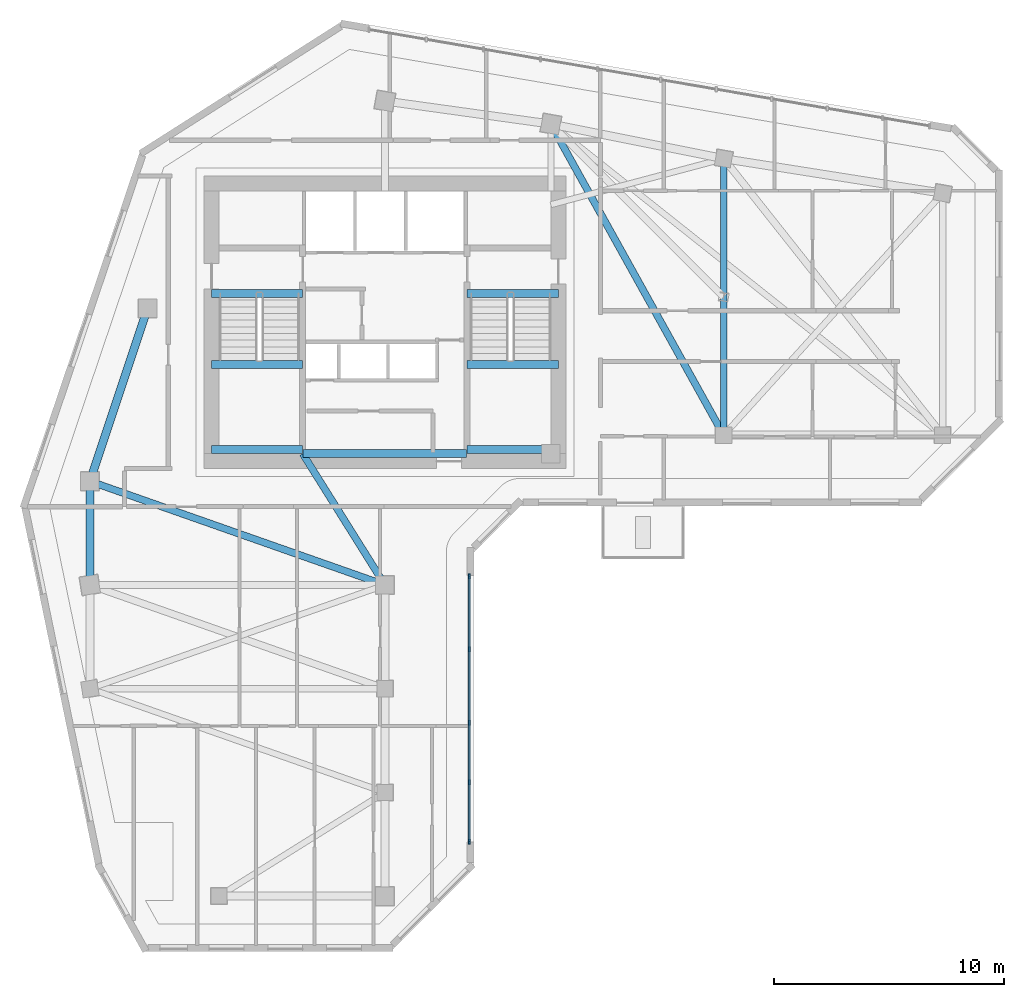
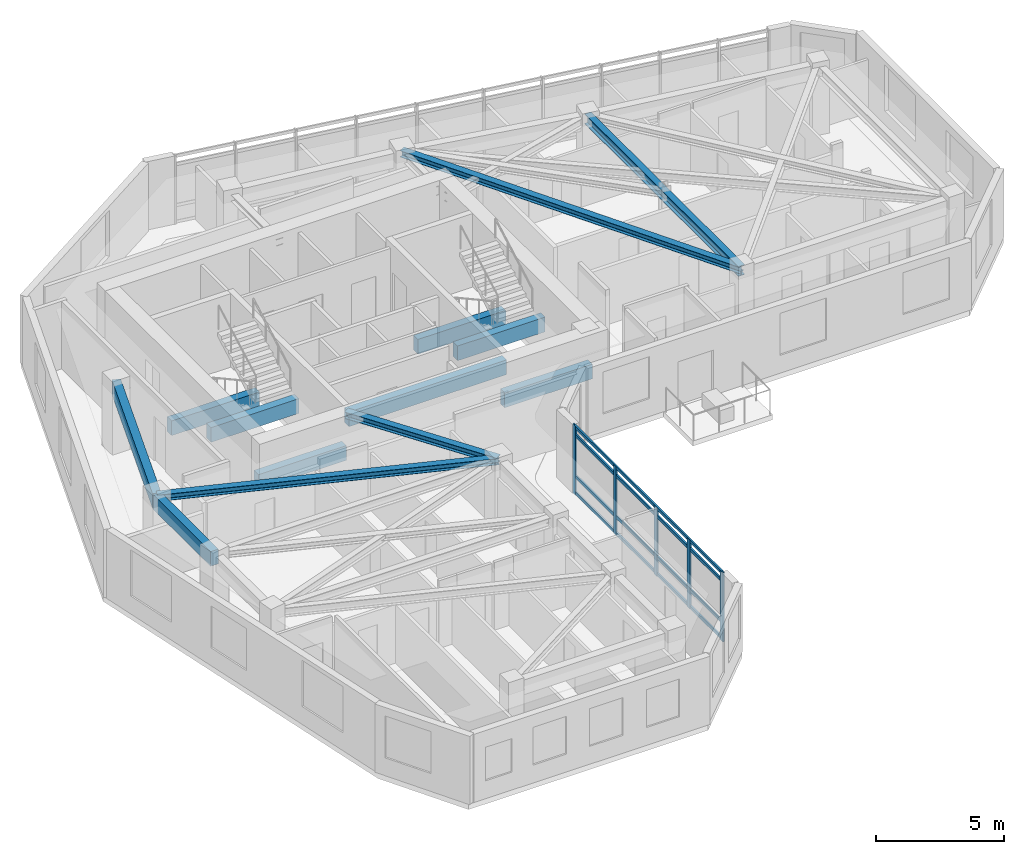
# One storey, part 2 of 11: 13 beams, 9 members, 1 element without a shape of its own.
"""IFC4 building model written with IfcOpenShell, lengths in metres."""

from ifc_helpers import new_model, si_unit, direction, frame, origin, origin_2d, place, context, subcontext, project, spatial, rectangle, i_section, extrude, source, transform, mapped, material, material_profile, profile_set, type_object, element, aggregate, save


model = new_model("IFC4")

# Units and contexts
model_context = context("Model", 3, precision=1e-05, world=origin(), true_north=direction((0.0, 1.0)))
body_context = subcontext(model_context, "Body", "Model", "MODEL_VIEW")
ifc_project = project(units=[si_unit("LENGTHUNIT", "METRE"), si_unit("AREAUNIT", "SQUARE_METRE"), si_unit("VOLUMEUNIT", "CUBIC_METRE"), si_unit("PLANEANGLEUNIT", "RADIAN"), si_unit("MASSUNIT", "GRAM", prefix="KILO")], contexts=[model_context])

# Site, building, storey
site_placement = place(None, origin())
site = spatial("IfcSite", under=ifc_project, at=site_placement, CompositionType="ELEMENT")
building_placement = place(site_placement, origin())
building = spatial("IfcBuilding", under=site, at=building_placement, Name="Calvemar Wedge Station Tower", CompositionType="ELEMENT")
storey_placement = place(building_placement, frame((0.0, 0.0, 190.39990234375)))
storey = spatial("IfcBuildingStorey", under=building, at=storey_placement, Name="L47", CompositionType="ELEMENT", Elevation=190.39990234375)

# Beams
ifc_material_1 = material(Name="Concrete C70", Category="concrete")
ifc_material_profile_1 = material_profile(ifc_material_1, rectangle(XDim=0.35009765625, YDim=0.699951171875, at=origin_2d()), Name="RC350x700")
ifc_profile_set_1 = profile_set([ifc_material_profile_1], Name="Concrete C70")
beam_type_1 = type_object("IfcBeamType", Name="BM-LN1-700", PredefinedType="LINTEL", material=ifc_profile_set_1)
shared_shape_1 = source(origin(), body_context, "Body", "SweptSolid", [
    extrude(rectangle(XDim=0.35009765625, YDim=0.699951171875, at=origin_2d()), origin(), (0.0, 0.0, 1.0), 7.10009765625),
])
beam_1_placement = place(storey_placement, frame((20.25, 34.199951171875, 2.900146484375), z_axis=(1.0, 0.0, 0.0), x_axis=(0.0, 1.0, 0.0)))
element("IfcBeam", 1, at=beam_1_placement, inside=storey, type_object=beam_type_1, Name="Storey L47 Core Coupling Lintel South", PredefinedType="LINTEL", context=body_context, shape_type="MappedRepresentation", body=[
    mapped(shared_shape_1, transform((0.0, 0.0, 0.0), scale=1.0)),
])
ifc_material_2 = material(Name="Structural steel ASTM A572 Grade 50", Category="steel")
ifc_material_profile_2 = material_profile(ifc_material_2, i_section(OverallWidth=0.304931640625, OverallDepth=0.30810546875, WebThickness=0.010009765625, FlangeThickness=0.015380859375, FilletRadius=0.014892578125, at=origin_2d()), Name="W310x97")
ifc_profile_set_2 = profile_set([ifc_material_profile_2], Name="Structural steel ASTM A572 Grade 50")
beam_type_2 = type_object("IfcBeamType", Name="BM-J6-W310", PredefinedType="JOIST", material=ifc_profile_set_2)
shared_shape_2 = source(origin(), body_context, "Body", "SweptSolid", [
    extrude(i_section(OverallWidth=0.304931640625, OverallDepth=0.30810546875, WebThickness=0.010009765625, FlangeThickness=0.015380859375, FilletRadius=0.014892578125, at=origin_2d()), origin(), (0.0, 0.0, 1.0), 15.443359375),
])
beam_2_placement = place(storey_placement, frame((31.0, 48.5, 3.09619140625), z_axis=(0.485642931179, -0.874157276122, 0.0), x_axis=(0.874157276122, 0.485642931179, 0.0)))
element("IfcBeam", 2, at=beam_2_placement, inside=storey, type_object=beam_type_2, Name="Storey L47 Floor Beam T-N2-T-NL2", PredefinedType="JOIST", context=body_context, shape_type="MappedRepresentation", body=[
    mapped(shared_shape_2, transform((0.0, 0.0, 0.0), scale=1.0)),
])
shared_shape_3 = source(origin(), body_context, "Body", "SweptSolid", [
    extrude(i_section(OverallWidth=0.304931640625, OverallDepth=0.30810546875, WebThickness=0.010009765625, FlangeThickness=0.015380859375, FilletRadius=0.014892578125, at=origin_2d()), origin(), (0.0, 0.0, 1.0), 13.568115234375),
])
beam_3_placement = place(storey_placement, frame((11.0, 33.0, 3.09619140625), z_axis=(0.943398221169, -0.331662171939, 0.0), x_axis=(0.331662171939, 0.943398221169, 0.0)))
element("IfcBeam", 3, at=beam_3_placement, inside=storey, type_object=beam_type_2, Name="Storey L47 Floor Beam T-NW1-T-SE1", PredefinedType="JOIST", context=body_context, shape_type="MappedRepresentation", body=[
    mapped(shared_shape_3, transform((0.0, 0.0, 0.0), scale=1.0)),
])
shared_shape_4 = source(origin(), body_context, "Body", "SweptSolid", [
    extrude(i_section(OverallWidth=0.304931640625, OverallDepth=0.30810546875, WebThickness=0.010009765625, FlangeThickness=0.015380859375, FilletRadius=0.014892578125, at=origin_2d()), origin(), (0.0, 0.0, 1.0), 6.7255859375),
])
beam_4_placement = place(storey_placement, frame((20.22998046875, 34.199951171875, 3.09619140625), z_axis=(0.530811158438, -0.847490126242, 0.0), x_axis=(0.847490126242, 0.530811158438, 0.0)))
element("IfcBeam", 4, at=beam_4_placement, inside=storey, type_object=beam_type_2, Name="Storey L47 Core-to-Column Joist CJ-S2", PredefinedType="JOIST", context=body_context, shape_type="MappedRepresentation", body=[
    mapped(shared_shape_4, transform((0.0, 0.0, 0.0), scale=1.0)),
])
shared_shape_5 = source(origin(), body_context, "Body", "SweptSolid", [
    extrude(rectangle(XDim=0.35009765625, YDim=0.699951171875, at=origin_2d()), origin(), (0.0, 0.0, 1.0), 3.955078125),
])
for number, where, z_axis, x_axis, name in (
    (5, (16.27490234375, 41.14990234375, -0.349853515625), (1.0, 0.0, 0.0), (0.0, 1.0, 0.0), "Storey L47 Stair ST-C1 Landing Trimmer Beam"),
    (6, (16.27490234375, 34.3798828125, 1.2001953125), (1.0, 0.0, 0.0), (0.0, 1.0, 0.0), "Storey L47 Stair ST-C1 Half-Landing Beam 1A"),
    (7, (16.27490234375, 38.070068359375, 1.2001953125), (1.0, 0.0, 0.0), (0.0, 1.0, 0.0), "Storey L47 Stair ST-C1 Half-Landing Beam 1B"),
):
    element("IfcBeam", number, at=place(storey_placement, frame(where, z_axis=z_axis, x_axis=x_axis)), inside=storey, type_object=beam_type_1, Name=name, PredefinedType="LINTEL", context=body_context, shape_type="MappedRepresentation", body=[
        mapped(shared_shape_5, transform((0.0, 0.0, 0.0), scale=1.0)),
    ])
shared_shape_6 = source(origin(), body_context, "Body", "SweptSolid", [
    extrude(rectangle(XDim=0.35009765625, YDim=0.699951171875, at=origin_2d()), origin(), (0.0, 0.0, 1.0), 3.954833984375),
])
for number, where, z_axis, x_axis, name in (
    (8, (27.3701171875, 41.14990234375, -0.349853515625), (1.0, 0.0, 0.0), (0.0, 1.0, 0.0), "Storey L47 Stair ST-C2 Landing Trimmer Beam"),
    (9, (27.3701171875, 34.3798828125, 1.2001953125), (1.0, 0.0, 0.0), (0.0, 1.0, 0.0), "Storey L47 Stair ST-C2 Half-Landing Beam 1A"),
    (10, (27.3701171875, 38.070068359375, 1.2001953125), (1.0, 0.0, 0.0), (0.0, 1.0, 0.0), "Storey L47 Stair ST-C2 Half-Landing Beam 1B"),
):
    element("IfcBeam", number, at=place(storey_placement, frame(where, z_axis=z_axis, x_axis=x_axis)), inside=storey, type_object=beam_type_1, Name=name, PredefinedType="LINTEL", context=body_context, shape_type="MappedRepresentation", body=[
        mapped(shared_shape_6, transform((0.0, 0.0, 0.0), scale=1.0)),
    ])
ifc_material_3 = material(Name="Concrete C50", Category="concrete")
ifc_material_profile_3 = material_profile(ifc_material_3, rectangle(XDim=0.35009765625, YDim=0.699951171875, at=origin_2d()), Name="RC350x700")
ifc_profile_set_3 = profile_set([ifc_material_profile_3], Name="Concrete C50")
beam_type_3 = type_object("IfcBeamType", Name="BM-SP2-700", PredefinedType="SPANDREL", material=ifc_profile_set_3)
shared_shape_7 = source(origin(), body_context, "Body", "SweptSolid", [
    extrude(rectangle(XDim=0.35009765625, YDim=0.699951171875, at=origin_2d()), origin(), (0.0, 0.0, 1.0), 7.90576171875),
])
beam_5_placement = place(storey_placement, frame((11.0, 33.0, 2.900146484375), z_axis=(0.316227766017, 0.948683298051, 0.0), x_axis=(-0.948683298051, 0.316227766017, 0.0)))
element("IfcBeam", 11, at=beam_5_placement, inside=storey, type_object=beam_type_3, Name="Storey L47 Spandrel T-NW1-T-NW2", PredefinedType="SPANDREL", context=body_context, shape_type="MappedRepresentation", body=[
    mapped(shared_shape_7, transform((0.0, 0.0, 0.0), scale=1.0)),
])
ifc_material_profile_4 = material_profile(ifc_material_2, i_section(OverallWidth=0.283935546875, OverallDepth=0.47607421875, WebThickness=0.014892578125, FlangeThickness=0.02392578125, FilletRadius=0.014892578125, at=origin_2d()), Name="W460x158")
ifc_profile_set_4 = profile_set([ifc_material_profile_4], Name="Structural steel ASTM A572 Grade 50")
beam_type_4 = type_object("IfcBeamType", Name="BM-SB5-W460H", PredefinedType="BEAM", material=ifc_profile_set_4)
shared_shape_8 = source(origin(), body_context, "Body", "SweptSolid", [
    extrude(i_section(OverallWidth=0.283935546875, OverallDepth=0.47607421875, WebThickness=0.014892578125, FlangeThickness=0.02392578125, FilletRadius=0.014892578125, at=origin_2d()), origin(), (0.0, 0.0, 1.0), 12.0),
])
beam_6_placement = place(storey_placement, frame((38.5, 47.0, 3.01220703125), z_axis=(0.0, -1.0, 0.0), x_axis=(1.0, 0.0, 0.0)))
element("IfcBeam", 12, at=beam_6_placement, inside=storey, type_object=beam_type_4, Name="Storey L47 Floor Beam T-NU3-T-NL2", PredefinedType="BEAM", context=body_context, shape_type="MappedRepresentation", body=[
    mapped(shared_shape_8, transform((0.0, 0.0, 0.0), scale=1.0)),
])
shared_shape_9 = source(origin(), body_context, "Body", "SweptSolid", [
    extrude(rectangle(XDim=0.35009765625, YDim=0.699951171875, at=origin_2d()), origin(), (0.0, 0.0, 1.0), 4.5),
])
beam_7_placement = place(storey_placement, frame((11.0, 33.0, 2.900146484375), z_axis=(0.0, -1.0, 0.0), x_axis=(1.0, 0.0, 0.0)))
element("IfcBeam", 13, at=beam_7_placement, inside=storey, type_object=beam_type_3, Name="Storey L47 Spandrel T-NW1-T-SW1", PredefinedType="SPANDREL", context=body_context, shape_type="MappedRepresentation", body=[
    mapped(shared_shape_9, transform((0.0, 0.0, 0.0), scale=1.0)),
])

# Curtain wall, members
ifc_material_4 = material(Name="Anodised aluminium 6063-T6", Category="aluminium")
curtain_wall_type = type_object("IfcCurtainWallType", Name="CW3", PredefinedType="NOTDEFINED", material=ifc_material_4)
curtain_wall_placement = place(storey_placement, origin())
curtain_wall = element("IfcCurtainWall", 14, at=curtain_wall_placement, inside=storey, type_object=curtain_wall_type, Name="Storey L47 CW3 Recessed Unitised Curtain Wall 4", PredefinedType="NOTDEFINED")
ifc_material_profile_5 = material_profile(ifc_material_4, rectangle(XDim=0.074951171875, YDim=0.2099609375, at=origin_2d()), Name="AL-MUL-75x210")
ifc_profile_set_5 = profile_set([ifc_material_profile_5], Name="Anodised aluminium 6063-T6")
member_type_1 = type_object("IfcMemberType", Name="CW3-MUL", PredefinedType="MULLION", material=ifc_profile_set_5)
shared_shape_10 = source(origin(), body_context, "Body", "SweptSolid", [
    extrude(rectangle(XDim=0.074951171875, YDim=0.2099609375, at=origin_2d()), origin(), (0.0, 0.0, 1.0), 3.2998046875),
])
member_1_placement = place(storey_placement, frame((27.4541015625, 17.362060546875, -0.0498046875), z_axis=(0.0, 0.0, 1.0), x_axis=(1.0, 0.0, 0.0)))
member_1 = element("IfcMember", 15, at=member_1_placement, type_object=member_type_1, Name="CW3 mullion 1", PredefinedType="MULLION", context=body_context, shape_type="MappedRepresentation", body=[
    mapped(shared_shape_10, transform((0.0, 0.0, 0.0), scale=1.0)),
])
member_2_placement = place(storey_placement, frame((27.4541015625, 19.9423828125, -0.0498046875), z_axis=(0.0, 0.0, 1.0), x_axis=(1.0, 0.0, 0.0)))
member_2 = element("IfcMember", 16, at=member_2_placement, type_object=member_type_1, Name="CW3 mullion 2", PredefinedType="MULLION", context=body_context, shape_type="MappedRepresentation", body=[
    mapped(shared_shape_10, transform((0.0, 0.0, 0.0), scale=1.0)),
])
member_3_placement = place(storey_placement, frame((27.4541015625, 22.52294921875, -0.0498046875), z_axis=(0.0, 0.0, 1.0), x_axis=(1.0, 0.0, 0.0)))
member_3 = element("IfcMember", 17, at=member_3_placement, type_object=member_type_1, Name="CW3 mullion 3", PredefinedType="MULLION", context=body_context, shape_type="MappedRepresentation", body=[
    mapped(shared_shape_10, transform((0.0, 0.0, 0.0), scale=1.0)),
])
member_4_placement = place(storey_placement, frame((27.4541015625, 25.70458984375, -0.0498046875), z_axis=(0.0, 0.0, 1.0), x_axis=(1.0, 0.0, 0.0)))
member_4 = element("IfcMember", 18, at=member_4_placement, type_object=member_type_1, Name="CW3 mullion 4", PredefinedType="MULLION", context=body_context, shape_type="MappedRepresentation", body=[
    mapped(shared_shape_10, transform((0.0, 0.0, 0.0), scale=1.0)),
])
member_5_placement = place(storey_placement, frame((27.4541015625, 28.885986328125, -0.0498046875), z_axis=(0.0, 0.0, 1.0), x_axis=(1.0, 0.0, 0.0)))
member_5 = element("IfcMember", 19, at=member_5_placement, type_object=member_type_1, Name="CW3 mullion 5", PredefinedType="MULLION", context=body_context, shape_type="MappedRepresentation", body=[
    mapped(shared_shape_10, transform((0.0, 0.0, 0.0), scale=1.0)),
])
ifc_material_profile_6 = material_profile(ifc_material_4, rectangle(XDim=0.074951171875, YDim=0.14501953125, at=origin_2d()), Name="AL-TRN-75x145")
ifc_profile_set_6 = profile_set([ifc_material_profile_6], Name="Anodised aluminium 6063-T6")
member_type_2 = type_object("IfcMemberType", Name="CW3-TRN", PredefinedType="USERDEFINED", material=ifc_profile_set_6)
shared_shape_11 = source(origin(), body_context, "Body", "SweptSolid", [
    extrude(rectangle(XDim=0.074951171875, YDim=0.14501953125, at=origin_2d()), origin(), (0.0, 0.0, 1.0), 11.52392578125),
])
member_6_placement = place(storey_placement, frame((27.4541015625, 17.362060546875, 0.06005859375), z_axis=(0.0, 1.0, 0.0), x_axis=(-1.0, 0.0, 0.0)))
member_6 = element("IfcMember", 20, at=member_6_placement, type_object=member_type_2, Name="CW3 transom 1", ObjectType="TRANSOM", PredefinedType="USERDEFINED", context=body_context, shape_type="MappedRepresentation", body=[
    mapped(shared_shape_11, transform((0.0, 0.0, 0.0), scale=1.0)),
])
member_7_placement = place(storey_placement, frame((27.4541015625, 17.362060546875, 0.85009765625), z_axis=(0.0, 1.0, 0.0), x_axis=(-1.0, 0.0, 0.0)))
member_7 = element("IfcMember", 21, at=member_7_placement, type_object=member_type_2, Name="CW3 transom 2", ObjectType="TRANSOM", PredefinedType="USERDEFINED", context=body_context, shape_type="MappedRepresentation", body=[
    mapped(shared_shape_11, transform((0.0, 0.0, 0.0), scale=1.0)),
])
member_8_placement = place(storey_placement, frame((27.4541015625, 17.362060546875, 2.800048828125), z_axis=(0.0, 1.0, 0.0), x_axis=(-1.0, 0.0, 0.0)))
member_8 = element("IfcMember", 22, at=member_8_placement, type_object=member_type_2, Name="CW3 transom 3", ObjectType="TRANSOM", PredefinedType="USERDEFINED", context=body_context, shape_type="MappedRepresentation", body=[
    mapped(shared_shape_11, transform((0.0, 0.0, 0.0), scale=1.0)),
])
member_9_placement = place(storey_placement, frame((27.4541015625, 17.362060546875, 3.190185546875), z_axis=(0.0, 1.0, 0.0), x_axis=(-1.0, 0.0, 0.0)))
member_9 = element("IfcMember", 23, at=member_9_placement, type_object=member_type_2, Name="CW3 transom 4", ObjectType="TRANSOM", PredefinedType="USERDEFINED", context=body_context, shape_type="MappedRepresentation", body=[
    mapped(shared_shape_11, transform((0.0, 0.0, 0.0), scale=1.0)),
])
aggregate(curtain_wall, [member_1, member_2, member_3, member_4, member_5, member_6, member_7, member_8, member_9])

save(model, "model.ifc")
